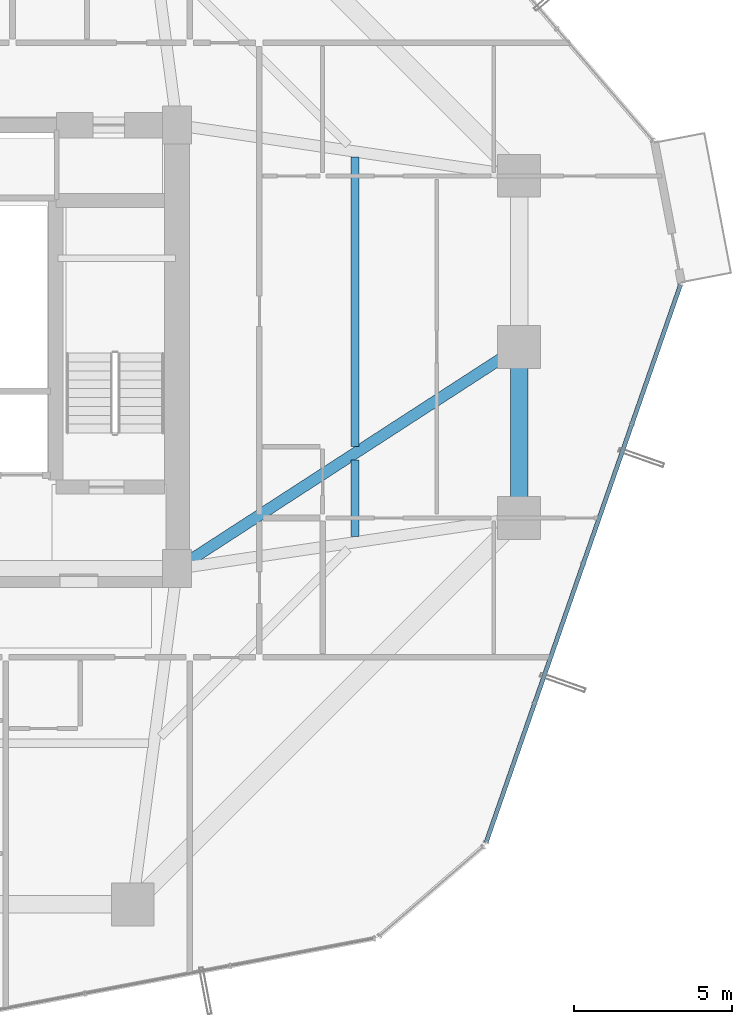
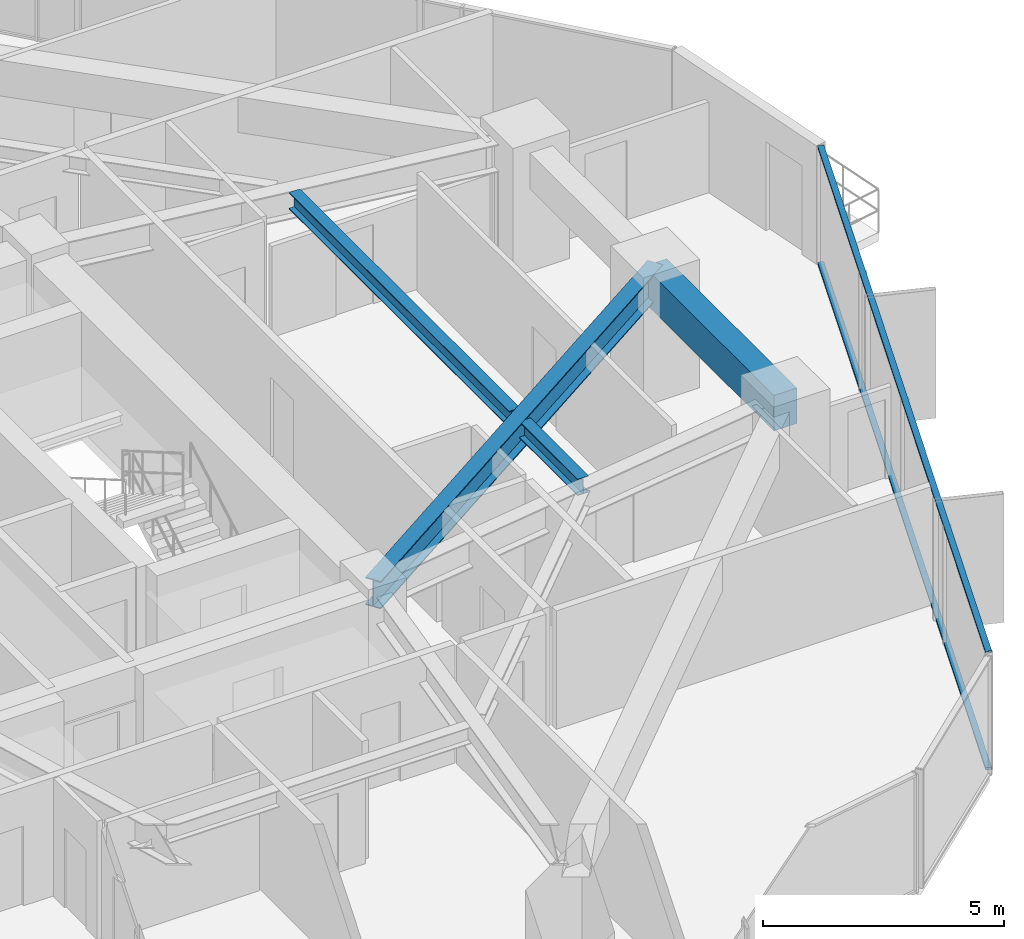
# One storey, part 17 of 38: 4 beams, 2 members, 1 element without a shape of its own.
"""IFC4 building model written with IfcOpenShell, lengths in metres."""

from ifc_helpers import new_model, si_unit, direction, frame, origin, origin_2d, place, context, subcontext, project, spatial, rectangle, hollow_rectangle, i_section, extrude, source, transform, mapped, material, layer, layer_set, material_profile, profile_set, type_object, element, aggregate, save


model = new_model("IFC4")

# Units and contexts
model_context = context("Model", 3, precision=1e-05, world=origin(), true_north=direction((0.0, 1.0)))
body_context = subcontext(model_context, "Body", "Model", "MODEL_VIEW")
ifc_project = project(units=[si_unit("LENGTHUNIT", "METRE"), si_unit("AREAUNIT", "SQUARE_METRE"), si_unit("VOLUMEUNIT", "CUBIC_METRE"), si_unit("PLANEANGLEUNIT", "RADIAN"), si_unit("MASSUNIT", "GRAM", prefix="KILO")], contexts=[model_context])

# Site, building, storey
site_placement = place(None, origin())
site = spatial("IfcSite", under=ifc_project, at=site_placement, CompositionType="ELEMENT")
building_placement = place(site_placement, origin())
building = spatial("IfcBuilding", under=site, at=building_placement, Name="Veraguas Prism Commons", CompositionType="ELEMENT")
storey_placement = place(building_placement, frame((0.0, 0.0, 60.85009765625)))
storey = spatial("IfcBuildingStorey", under=building, at=storey_placement, Name="L16", CompositionType="ELEMENT", Elevation=60.85009765625)

# Beams
ifc_material_1 = material(Name="Steel ASTM A992 Grade 50", Category="steel")
ifc_material_profile_1 = material_profile(ifc_material_1, i_section(OverallWidth=0.260986328125, OverallDepth=0.419921875, WebThickness=0.01171875, FlangeThickness=0.019287109375, at=origin_2d()), Name="W410X114")
ifc_profile_set_1 = profile_set([ifc_material_profile_1], Name="Steel ASTM A992 Grade 50")
beam_type_1 = type_object("IfcBeamType", Name="Lower Floor Joist W410x114", PredefinedType="JOIST", material=ifc_profile_set_1)
beam_1_placement = place(storey_placement, frame((36.416015625, 18.010009765625, 2.789794921875), z_axis=(0.0, 1.0, 0.0), x_axis=(-1.0, 0.0, 0.0)))
element("IfcBeam", 1, at=beam_1_placement, inside=storey, type_object=beam_type_1, Name="Composite Floor Joist L16-JS01", PredefinedType="JOIST", context=body_context, shape_type="SweptSolid", body=[
    extrude(i_section(OverallWidth=0.260986328125, OverallDepth=0.419921875, WebThickness=0.01171875, FlangeThickness=0.019287109375, at=origin_2d()), origin(), (0.0, 0.0, 1.0), 2.42041015625),
])
beam_2_placement = place(storey_placement, frame((36.416015625, 20.849609375, 2.789794921875), z_axis=(0.0, 1.0, 0.0), x_axis=(-1.0, 0.0, 0.0)))
element("IfcBeam", 2, at=beam_2_placement, inside=storey, type_object=beam_type_1, Name="Composite Floor Joist L16-JS02", PredefinedType="JOIST", context=body_context, shape_type="SweptSolid", body=[
    extrude(i_section(OverallWidth=0.260986328125, OverallDepth=0.419921875, WebThickness=0.01171875, FlangeThickness=0.019287109375, at=origin_2d()), origin(), (0.0, 0.0, 1.0), 9.140380859375),
])
ifc_material_2 = material(Name="Concrete C50/60", Category="concrete")
ifc_material_profile_2 = material_profile(ifc_material_2, rectangle(XDim=0.550048828125, YDim=0.89990234375, at=origin_2d()), Name="RC550X900")
ifc_profile_set_2 = profile_set([ifc_material_profile_2], Name="Concrete C50/60")
beam_type_2 = type_object("IfcBeamType", Name="Perimeter Spandrel Lower RC 550x900", PredefinedType="SPANDREL", material=ifc_profile_set_2)
beam_3_placement = place(storey_placement, frame((41.60009765625, 18.60009765625, 2.5498046875), z_axis=(0.0, 1.0, 0.0), x_axis=(-1.0, 0.0, 0.0)))
element("IfcBeam", 3, at=beam_3_placement, inside=storey, type_object=beam_type_2, Name="Perimeter Spandrel Beam L16-SP01", PredefinedType="SPANDREL", context=body_context, shape_type="SweptSolid", body=[
    extrude(rectangle(XDim=0.550048828125, YDim=0.89990234375, at=origin_2d()), origin(), (0.0, 0.0, 1.0), 5.39990234375),
])
ifc_material_profile_3 = material_profile(ifc_material_1, i_section(OverallWidth=0.35595703125, OverallDepth=0.700927734375, WebThickness=0.016845703125, FlangeThickness=0.02734375, at=origin_2d()), Name="W690X240")
ifc_profile_set_3 = profile_set([ifc_material_profile_3], Name="Steel ASTM A992 Grade 50")
beam_type_3 = type_object("IfcBeamType", Name="Zone 1 Radial Girder W690x240", PredefinedType="BEAM", material=ifc_profile_set_3)
beam_4_placement = place(storey_placement, frame((41.60009765625, 24.0, 2.6494140625), z_axis=(-0.839154108875, -0.543893722668, 0.0), x_axis=(0.543893722668, -0.839154108875, 0.0)))
element("IfcBeam", 4, at=beam_4_placement, inside=storey, type_object=beam_type_3, Name="Radial Floor Girder L16-RD02", PredefinedType="BEAM", context=body_context, shape_type="SweptSolid", body=[
    extrude(i_section(OverallWidth=0.35595703125, OverallDepth=0.700927734375, WebThickness=0.016845703125, FlangeThickness=0.02734375, at=origin_2d()), origin(), (0.0, 0.0, 1.0), 12.8701171875),
])

# Curtain wall, members
ifc_material_3 = material(Name="Anodised aluminium EN AW-6063 T6", Category="aluminium")
ifc_layer = layer(ifc_material_3, 0.169921875, Name="Unitised Flush Curtain Wall Zone 1", Category="aluminium")
ifc_layer_set = layer_set([ifc_layer], Name="Anodised aluminium EN AW-6063 T6")
curtain_wall_type = type_object("IfcCurtainWallType", Name="Unitised Flush Curtain Wall Zone 1", PredefinedType="NOTDEFINED", material=ifc_layer_set)
curtain_wall_placement = place(storey_placement, origin())
curtain_wall = element("IfcCurtainWall", 5, at=curtain_wall_placement, inside=storey, type_object=curtain_wall_type, Name="Tower Facade Curtain Wall L16-F6", PredefinedType="NOTDEFINED")
ifc_material_profile_4 = material_profile(ifc_material_3, hollow_rectangle(XDim=0.054931640625, YDim=0.135009765625, WallThickness=0.0029296875, at=origin_2d()), Name="AL55X135X3")
ifc_profile_set_4 = profile_set([ifc_material_profile_4], Name="Anodised aluminium EN AW-6063 T6")
member_type = type_object("IfcMemberType", Name="Curtain Wall Transom Standard AL 55x135x3", PredefinedType="USERDEFINED", material=ifc_profile_set_4)
shared_shape = source(origin(), body_context, "Body", "SweptSolid", [
    extrude(hollow_rectangle(XDim=0.054931640625, YDim=0.135009765625, WallThickness=0.0029296875, at=origin_2d()), origin(), (0.0, 0.0, 1.0), 18.623779296875),
])
member_1_placement = place(storey_placement, frame((40.560791015625, 8.364990234375, 0.02734375), z_axis=(0.329184070656, 0.944265771712, 0.0), x_axis=(0.0, 0.0, 1.0)))
member_1 = element("IfcMember", 6, at=member_1_placement, type_object=member_type, Name="CW-Z1 Transom 1", ObjectType="TRANSOM", PredefinedType="USERDEFINED", context=body_context, shape_type="MappedRepresentation", body=[
    mapped(shared_shape, transform((0.0, 0.0, 0.0), scale=1.0)),
])
member_2_placement = place(storey_placement, frame((40.560791015625, 8.364990234375, 2.972412109375), z_axis=(0.329184070656, 0.944265771712, 0.0), x_axis=(0.0, 0.0, 1.0)))
member_2 = element("IfcMember", 7, at=member_2_placement, type_object=member_type, Name="CW-Z1 Transom 2", ObjectType="TRANSOM", PredefinedType="USERDEFINED", context=body_context, shape_type="MappedRepresentation", body=[
    mapped(shared_shape, transform((0.0, 0.0, 0.0), scale=1.0)),
])
aggregate(curtain_wall, [member_1, member_2])

save(model, "model.ifc")
